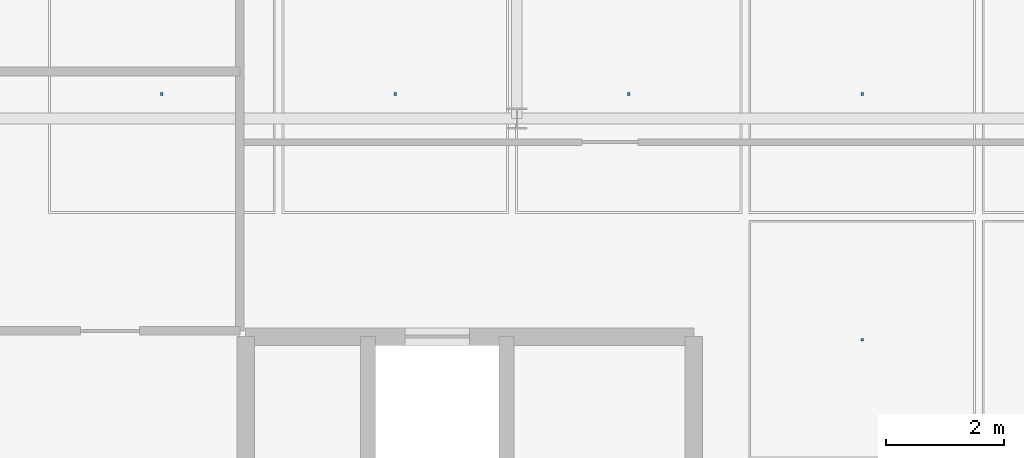
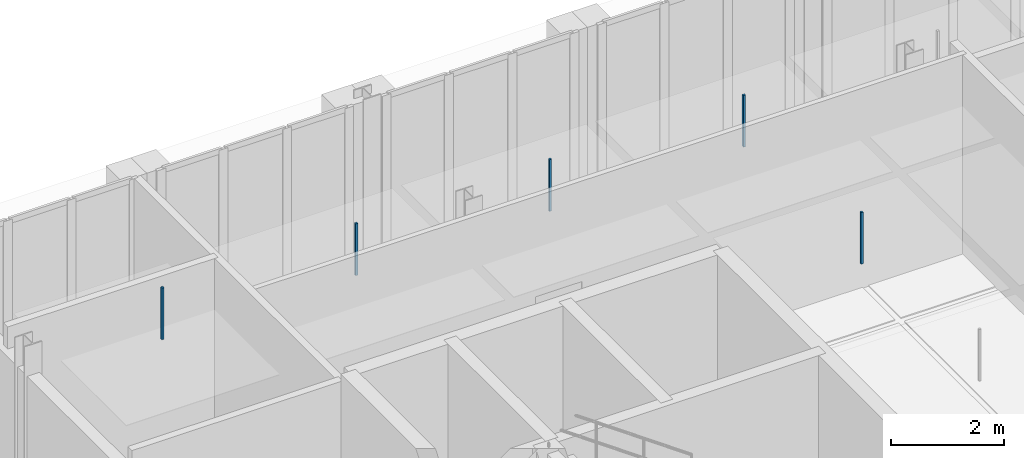
# One storey, part 108 of 130: 5 discrete accessories.
"""IFC4 building model written with IfcOpenShell, lengths in metres."""

from ifc_helpers import new_model, si_unit, direction, frame, origin, origin_2d, place, context, subcontext, project, spatial, rectangle, extrude, material, type_object, element, save


model = new_model("IFC4")

# Units and contexts
model_context = context("Model", 3, precision=1e-05, world=origin(), true_north=direction((0.0, 1.0)))
body_context = subcontext(model_context, "Body", "Model", "MODEL_VIEW")
ifc_project = project(units=[si_unit("LENGTHUNIT", "METRE"), si_unit("AREAUNIT", "SQUARE_METRE"), si_unit("VOLUMEUNIT", "CUBIC_METRE"), si_unit("PLANEANGLEUNIT", "RADIAN"), si_unit("MASSUNIT", "GRAM", prefix="KILO"), si_unit("THERMODYNAMICTEMPERATUREUNIT", "KELVIN"), si_unit("POWERUNIT", "WATT")], contexts=[model_context])

# Site, building, storey
site_placement = place(None, origin())
site = spatial("IfcSite", under=ifc_project, at=site_placement, CompositionType="ELEMENT")
building_placement = place(site_placement, origin())
building = spatial("IfcBuilding", under=site, at=building_placement, Name="Tallowbark Science Centre", CompositionType="ELEMENT")
storey_placement = place(building_placement, frame((0.0, 0.0, 5.39990234375)))
storey = spatial("IfcBuildingStorey", under=building, at=storey_placement, Name="L01", CompositionType="ELEMENT", Elevation=5.39990234375)

# Discrete accessories
ifc_material = material(Name="Galvanised Steel Grade C350L0 (350 MPa)", Category="steel")
discrete_accessory_type = type_object("IfcDiscreteAccessoryType", Name="ACC-CLG-HNG", PredefinedType="BRACKET", material=ifc_material)
for number, where, z_axis, x_axis, name in (
    (1, (115.479248046875, 108.416748046875, 3.2060546875), (0.0, 0.0, 1.0), (1.0, 0.0, 0.0), "Ceiling Hanger Bracket L01-689"),
    (2, (119.4375, 108.416748046875, 3.2060546875), (0.0, 0.0, 1.0), (1.0, 0.0, 0.0), "Ceiling Hanger Bracket L01-692"),
    (3, (123.395751953125, 108.416748046875, 3.2060546875), (0.0, 0.0, 1.0), (1.0, 0.0, 0.0), "Ceiling Hanger Bracket L01-695"),
    (4, (127.354248046875, 104.25, 3.2060546875), (0.0, 0.0, 1.0), (1.0, 0.0, 0.0), "Ceiling Hanger Bracket L01-703"),
    (5, (127.354248046875, 108.416748046875, 3.2060546875), (0.0, 0.0, 1.0), (1.0, 0.0, 0.0), "Ceiling Hanger Bracket L01-704"),
):
    element("IfcDiscreteAccessory", number, at=place(storey_placement, frame(where, z_axis=z_axis, x_axis=x_axis)), inside=storey, type_object=discrete_accessory_type, Name=name, PredefinedType="BRACKET", context=body_context, shape_type="SweptSolid", body=[
        extrude(rectangle(XDim=0.044921875, YDim=0.044921875, at=origin_2d()), origin(), (0.0, 0.0, 1.0), 1.116943359375),
    ])

save(model, "model.ifc")
